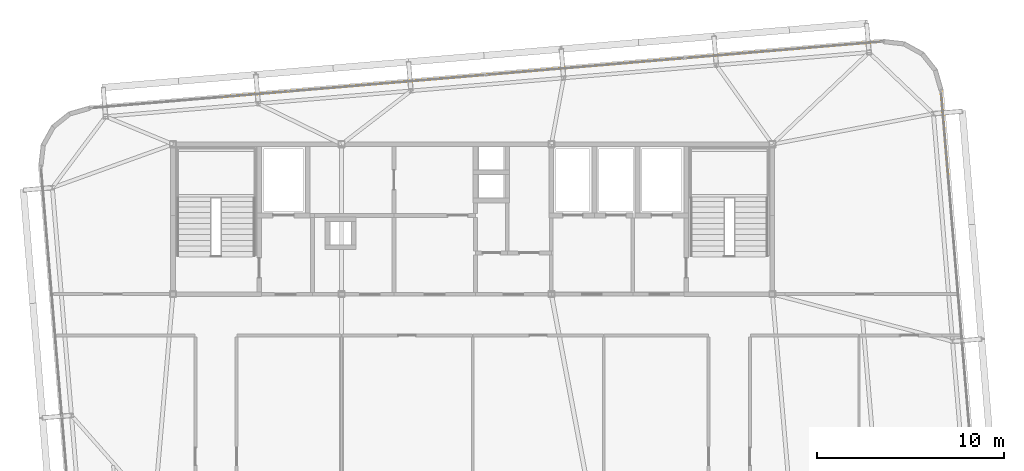
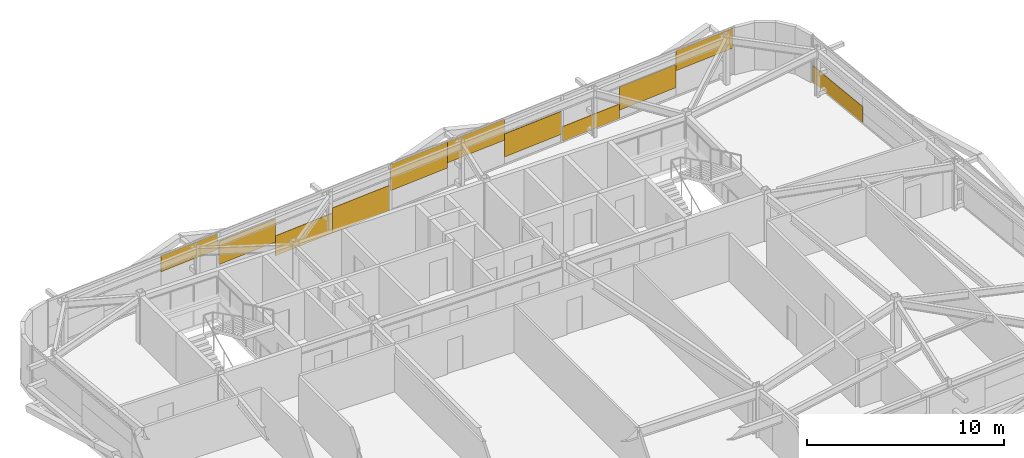
# One storey, part 39 of 39: 11 coverings.
"""IFC4 building model written with IfcOpenShell, lengths in metres."""

from ifc_helpers import new_model, si_unit, direction, frame, origin, origin_2d, place, context, subcontext, project, spatial, rectangle, extrude, source, transform, mapped, material, layer, layer_set, type_object, element, save


model = new_model("IFC4")

# Units and contexts
model_context = context("Model", 3, precision=1e-05, world=origin(), true_north=direction((0.0, 1.0)))
body_context = subcontext(model_context, "Body", "Model", "MODEL_VIEW")
ifc_project = project(units=[si_unit("LENGTHUNIT", "METRE"), si_unit("AREAUNIT", "SQUARE_METRE"), si_unit("VOLUMEUNIT", "CUBIC_METRE"), si_unit("PLANEANGLEUNIT", "RADIAN"), si_unit("MASSUNIT", "GRAM", prefix="KILO")], contexts=[model_context])

# Site, building, storey
site_placement = place(None, origin())
site = spatial("IfcSite", under=ifc_project, at=site_placement, CompositionType="ELEMENT")
building_placement = place(site_placement, origin())
building = spatial("IfcBuilding", under=site, at=building_placement, Name="Taldren Reach Tower", CompositionType="ELEMENT")
storey_placement = place(building_placement, frame((0.0, 0.0, 178.85009765625)))
storey = spatial("IfcBuildingStorey", under=building, at=storey_placement, Name="L54", CompositionType="ELEMENT", Elevation=178.85009765625)

# Coverings
ifc_material = material(Name="Pale Champagne Fluoropolymer Aluminium Spandrel Cladding", Category="aluminium")
ifc_layer = layer(ifc_material, 0.0439453125)
ifc_layer_set = layer_set([ifc_layer], Name="Pale Champagne Fluoropolymer Aluminium Spandrel Cladding")
covering_type = type_object("IfcCoveringType", Name="CV-CLAD-044", PredefinedType="CLADDING", material=ifc_layer_set)
shared_shape_1 = source(origin(), body_context, "Body", "SweptSolid", [
    extrude(rectangle(XDim=3.506591796875, YDim=0.0439453125, at=origin_2d()), origin(), (0.0, 0.0, 1.0), 1.42724609375),
])
covering_1_placement = place(storey_placement, frame((51.603515625, 37.03515625, 0.590576171875), z_axis=(0.0, 0.0, 1.0), x_axis=(-0.99649285657, -0.083677875247, 0.0)))
element("IfcCovering", 1, at=covering_1_placement, inside=storey, type_object=covering_type, Name="Diagrid closure cladding strip CW-5 panel 1.1 2", PredefinedType="CLADDING", context=body_context, shape_type="MappedRepresentation", body=[
    mapped(shared_shape_1, transform((0.0, 0.0, 0.0), scale=1.0)),
])
shared_shape_2 = source(origin(), body_context, "Body", "SweptSolid", [
    extrude(rectangle(XDim=3.506591796875, YDim=0.0439453125, at=origin_2d()), origin(), (0.0, 0.0, 1.0), 0.976318359375),
])
covering_2_placement = place(storey_placement, frame((23.36962890625, 34.664306640625, 1.8935546875), z_axis=(0.0, 0.0, 1.0), x_axis=(-0.99649285657, -0.083677875247, 0.0)))
element("IfcCovering", 2, at=covering_2_placement, inside=storey, type_object=covering_type, Name="Diagrid closure cladding strip CW-5 panel 4.1 1", PredefinedType="CLADDING", context=body_context, shape_type="MappedRepresentation", body=[
    mapped(shared_shape_2, transform((0.0, 0.0, 0.0), scale=1.0)),
])
shared_shape_3 = source(origin(), body_context, "Body", "SweptSolid", [
    extrude(rectangle(XDim=3.518310546875, YDim=0.0439453125, at=origin_2d()), origin(), (0.0, 0.0, 1.0), 1.4306640625),
])
for number, where, z_axis, x_axis, name in (
    (3, (44.539306640625, 36.44189453125, 0.526123046875), (0.0, 0.0, 1.0), (-0.99649285657, -0.083677875247, 0.0), "Diagrid closure cladding strip CW-5 panel 2.1 1"),
    (4, (26.939453125, 34.964111328125, 0.912841796875), (0.0, 0.0, 1.0), (-0.99649285657, -0.083677875247, 0.0), "Diagrid closure cladding strip CW-5 panel 3.1 3"),
):
    element("IfcCovering", number, at=place(storey_placement, frame(where, z_axis=z_axis, x_axis=x_axis)), inside=storey, type_object=covering_type, Name=name, PredefinedType="CLADDING", context=body_context, shape_type="MappedRepresentation", body=[
        mapped(shared_shape_3, transform((0.0, 0.0, 0.0), scale=1.0)),
    ])
shared_shape_4 = source(origin(), body_context, "Body", "SweptSolid", [
    extrude(rectangle(XDim=3.518310546875, YDim=0.0439453125, at=origin_2d()), origin(), (0.0, 0.0, 1.0), 1.238525390625),
])
covering_3_placement = place(storey_placement, frame((30.445556640625, 35.258544921875, 0.06005859375), z_axis=(0.0, 0.0, 1.0), x_axis=(-0.99649285657, -0.083677875247, 0.0)))
element("IfcCovering", 5, at=covering_3_placement, inside=storey, type_object=covering_type, Name="Diagrid closure cladding strip CW-5 panel 3.1 2", PredefinedType="CLADDING", context=body_context, shape_type="MappedRepresentation", body=[
    mapped(shared_shape_4, transform((0.0, 0.0, 0.0), scale=1.0)),
])
shared_shape_5 = source(origin(), body_context, "Body", "SweptSolid", [
    extrude(rectangle(XDim=3.518310546875, YDim=0.0439453125, at=origin_2d()), origin(), (0.0, 0.0, 1.0), 1.557373046875),
])
covering_4_placement = place(storey_placement, frame((33.951416015625, 35.552734375, 0.06005859375), z_axis=(0.0, 0.0, 1.0), x_axis=(-0.99649285657, -0.083677875247, 0.0)))
element("IfcCovering", 6, at=covering_4_placement, inside=storey, type_object=covering_type, Name="Diagrid closure cladding strip CW-5 panel 3.1 1", PredefinedType="CLADDING", context=body_context, shape_type="MappedRepresentation", body=[
    mapped(shared_shape_5, transform((0.0, 0.0, 0.0), scale=1.0)),
])
shared_shape_6 = source(origin(), body_context, "Body", "SweptSolid", [
    extrude(rectangle(XDim=3.518310546875, YDim=0.0439453125, at=origin_2d()), origin(), (0.0, 0.0, 1.0), 1.617431640625),
])
covering_5_placement = place(storey_placement, frame((37.52734375, 35.85302734375, 1.25244140625), z_axis=(0.0, 0.0, 1.0), x_axis=(-0.99649285657, -0.083677875247, 0.0)))
element("IfcCovering", 7, at=covering_5_placement, inside=storey, type_object=covering_type, Name="Diagrid closure cladding strip CW-5 panel 2.1 3", PredefinedType="CLADDING", context=body_context, shape_type="MappedRepresentation", body=[
    mapped(shared_shape_6, transform((0.0, 0.0, 0.0), scale=1.0)),
])
shared_shape_7 = source(origin(), body_context, "Body", "SweptSolid", [
    extrude(rectangle(XDim=3.518310546875, YDim=0.0439453125, at=origin_2d()), origin(), (0.0, 0.0, 1.0), 1.298583984375),
])
covering_6_placement = place(storey_placement, frame((41.033203125, 36.1474609375, 1.5712890625), z_axis=(0.0, 0.0, 1.0), x_axis=(-0.99649285657, -0.083677875247, 0.0)))
element("IfcCovering", 8, at=covering_6_placement, inside=storey, type_object=covering_type, Name="Diagrid closure cladding strip CW-5 panel 2.1 2", PredefinedType="CLADDING", context=body_context, shape_type="MappedRepresentation", body=[
    mapped(shared_shape_7, transform((0.0, 0.0, 0.0), scale=1.0)),
])
shared_shape_8 = source(origin(), body_context, "Body", "SweptSolid", [
    extrude(rectangle(XDim=3.506591796875, YDim=0.0439453125, at=origin_2d()), origin(), (0.0, 0.0, 1.0), 0.916259765625),
])
covering_7_placement = place(storey_placement, frame((48.109130859375, 36.74169921875, 0.06005859375), z_axis=(0.0, 0.0, 1.0), x_axis=(-0.99649285657, -0.083677875247, 0.0)))
element("IfcCovering", 9, at=covering_7_placement, inside=storey, type_object=covering_type, Name="Diagrid closure cladding strip CW-5 panel 1.1 3", PredefinedType="CLADDING", context=body_context, shape_type="MappedRepresentation", body=[
    mapped(shared_shape_8, transform((0.0, 0.0, 0.0), scale=1.0)),
])
shared_shape_9 = source(origin(), body_context, "Body", "SweptSolid", [
    extrude(rectangle(XDim=3.506591796875, YDim=0.0439453125, at=origin_2d()), origin(), (0.0, 0.0, 1.0), 1.237548828125),
])
covering_8_placement = place(storey_placement, frame((55.097900390625, 37.32861328125, 1.63232421875), z_axis=(0.0, 0.0, 1.0), x_axis=(-0.99649285657, -0.083677875247, 0.0)))
element("IfcCovering", 10, at=covering_8_placement, inside=storey, type_object=covering_type, Name="Diagrid closure cladding strip CW-5 panel 1.1 1", PredefinedType="CLADDING", context=body_context, shape_type="MappedRepresentation", body=[
    mapped(shared_shape_9, transform((0.0, 0.0, 0.0), scale=1.0)),
])
shared_shape_10 = source(origin(), body_context, "Body", "SweptSolid", [
    extrude(rectangle(XDim=4.431640625, YDim=0.0439453125, at=origin_2d()), origin(), (0.0, 0.0, 1.0), 1.006103515625),
])
covering_9_placement = place(storey_placement, frame((60.1953125, 32.5927734375, 0.06005859375), z_axis=(0.0, 0.0, 1.0), x_axis=(-0.083677979808, 0.996492847789, 0.0)))
element("IfcCovering", 11, at=covering_9_placement, inside=storey, type_object=covering_type, Name="Diagrid closure cladding strip CW-5 panel 2.1 3", PredefinedType="CLADDING", context=body_context, shape_type="MappedRepresentation", body=[
    mapped(shared_shape_10, transform((0.0, 0.0, 0.0), scale=1.0)),
])

save(model, "model.ifc")
